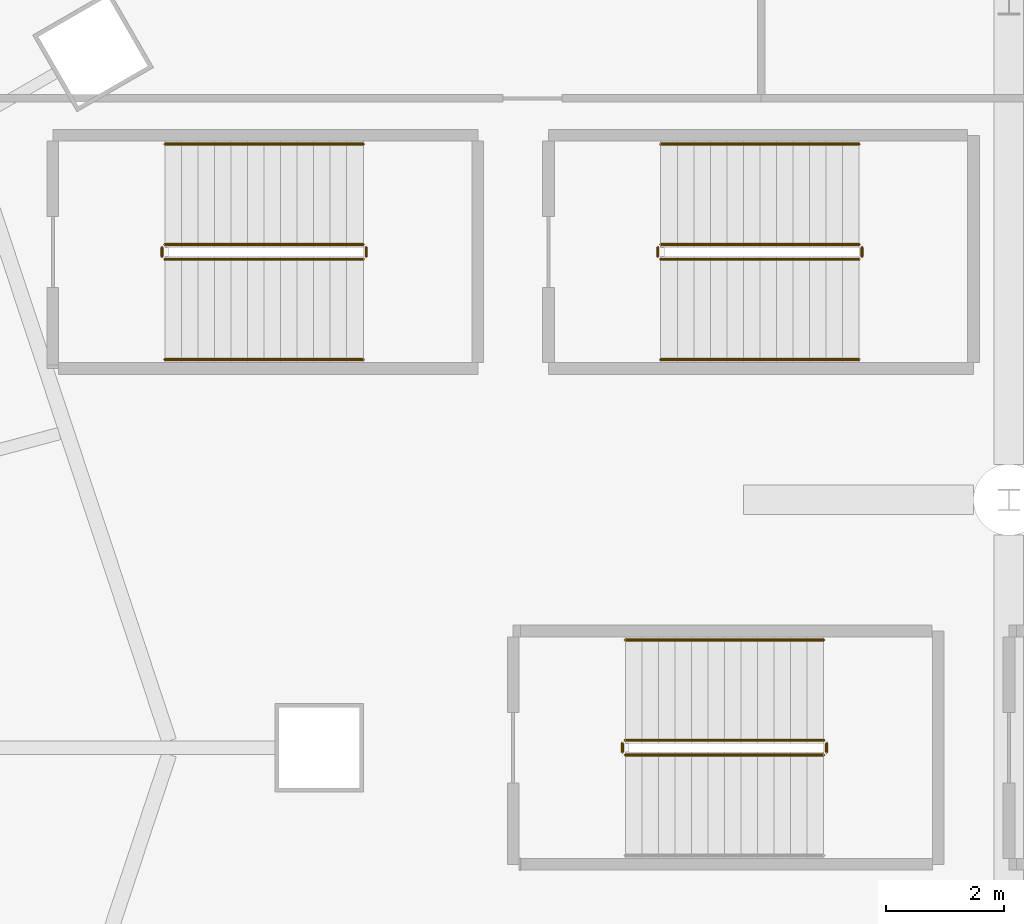
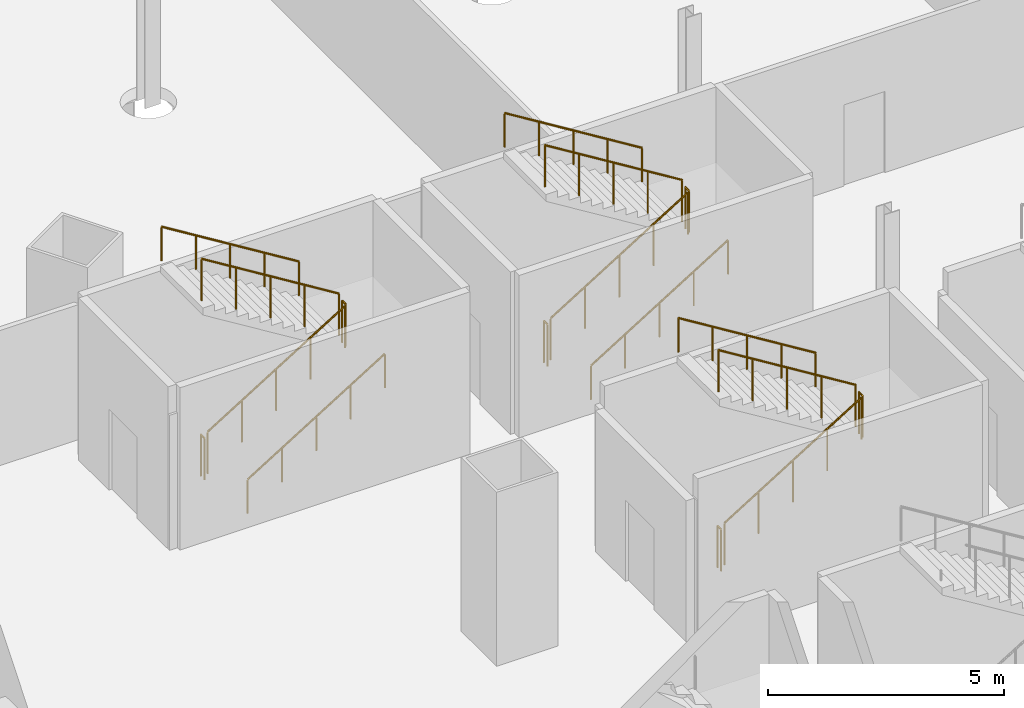
# One storey, part 51 of 56: 17 railings.
"""IFC4 building model written with IfcOpenShell, lengths in metres."""

from ifc_helpers import new_model, si_unit, direction, frame, origin, origin_2d, place, context, subcontext, project, spatial, circle, extrude, material, type_object, element, save


model = new_model("IFC4")

# Units and contexts
model_context = context("Model", 3, precision=1e-05, world=origin(), true_north=direction((0.0, 1.0)))
body_context = subcontext(model_context, "Body", "Model", "MODEL_VIEW")
ifc_project = project(units=[si_unit("LENGTHUNIT", "METRE"), si_unit("AREAUNIT", "SQUARE_METRE"), si_unit("VOLUMEUNIT", "CUBIC_METRE"), si_unit("PLANEANGLEUNIT", "RADIAN"), si_unit("MASSUNIT", "GRAM", prefix="KILO")], contexts=[model_context])

# Site, building, storey
site_placement = place(None, origin())
site = spatial("IfcSite", under=ifc_project, at=site_placement, CompositionType="ELEMENT")
building_placement = place(site_placement, origin())
building = spatial("IfcBuilding", under=site, at=building_placement, Name="Rimbun Link Towers", CompositionType="ELEMENT")
storey_placement = place(building_placement, frame((0.0, 0.0, 16.5)))
storey = spatial("IfcBuildingStorey", under=building, at=storey_placement, Name="L03", CompositionType="ELEMENT", Elevation=16.5)

# Railings
ifc_material_1 = material(Name="Stainless steel grade 316", Category="steel")
railing_type_1 = type_object("IfcRailingType", Name="Stair guard", PredefinedType="GUARDRAIL", material=ifc_material_1)
railing_1_placement = place(storey_placement, frame((-10.10009765625, 8.27490234375, 0.173095703125)))
element("IfcRailing", 1, at=railing_1_placement, inside=storey, type_object=railing_type_1, Name="L03 PS3 stair guard 1", PredefinedType="GUARDRAIL", context=body_context, shape_type="SweptSolid", body=[
    extrude(circle(Radius=0.02392578125, at=origin_2d()), frame((0.0, 0.0, 1.076171875), z_axis=(0.850623216509, 0.0, 0.525775754039), x_axis=(0.0, 1.0, 0.0)), (0.0, 0.0, 1.0), 3.9501953125),
    extrude(circle(Radius=0.02099609375, at=origin_2d()), origin(), (0.0, 0.0, 1.0), 1.052001953125),
    extrude(circle(Radius=0.02099609375, at=origin_2d()), frame((0.840087890625, 0.0, 0.519287109375)), (0.0, 0.0, 1.0), 1.052001953125),
    extrude(circle(Radius=0.02099609375, at=origin_2d()), frame((1.68017578125, 0.0, 1.03857421875)), (0.0, 0.0, 1.0), 1.052001953125),
    extrude(circle(Radius=0.02099609375, at=origin_2d()), frame((2.52001953125, 0.0, 1.5576171875)), (0.0, 0.0, 1.0), 1.052001953125),
    extrude(circle(Radius=0.02099609375, at=origin_2d()), frame((3.360107421875, 0.0, 2.076904296875)), (0.0, 0.0, 1.0), 1.052001953125),
])
railing_2_placement = place(storey_placement, frame((-6.68994140625, 8.324951171875, 2.25)))
element("IfcRailing", 2, at=railing_2_placement, inside=storey, type_object=railing_type_1, Name="L03 PS3 stair guard 2", PredefinedType="GUARDRAIL", context=body_context, shape_type="SweptSolid", body=[
    extrude(circle(Radius=0.02392578125, at=origin_2d()), frame((0.0, 0.0, 1.076171875), z_axis=(0.0, 1.0, 0.0), x_axis=(-1.0, 0.0, 0.0)), (0.0, 0.0, 1.0), 0.150146484375),
    extrude(circle(Radius=0.02099609375, at=origin_2d()), origin(), (0.0, 0.0, 1.0), 1.052001953125),
    extrude(circle(Radius=0.02099609375, at=origin_2d()), frame((0.0, 0.150146484375, 0.0)), (0.0, 0.0, 1.0), 1.052001953125),
])
railing_3_placement = place(storey_placement, frame((-6.739990234375, 8.52490234375, 2.423095703125)))
element("IfcRailing", 3, at=railing_3_placement, inside=storey, type_object=railing_type_1, Name="L03 PS3 stair guard 3", PredefinedType="GUARDRAIL", context=body_context, shape_type="SweptSolid", body=[
    extrude(circle(Radius=0.02392578125, at=origin_2d()), frame((0.0, 0.0, 1.076171875), z_axis=(-0.850623216509, 0.0, 0.525775754039), x_axis=(0.0, -1.0, 0.0)), (0.0, 0.0, 1.0), 3.9501953125),
    extrude(circle(Radius=0.02099609375, at=origin_2d()), origin(), (0.0, 0.0, 1.0), 1.052001953125),
    extrude(circle(Radius=0.02099609375, at=origin_2d()), frame((-0.840087890625, 0.0, 0.519287109375)), (0.0, 0.0, 1.0), 1.052001953125),
    extrude(circle(Radius=0.02099609375, at=origin_2d()), frame((-1.68017578125, 0.0, 1.03857421875)), (0.0, 0.0, 1.0), 1.052001953125),
    extrude(circle(Radius=0.02099609375, at=origin_2d()), frame((-2.52001953125, 0.0, 1.5576171875)), (0.0, 0.0, 1.0), 1.052001953125),
    extrude(circle(Radius=0.02099609375, at=origin_2d()), frame((-3.360107421875, 0.0, 2.076904296875)), (0.0, 0.0, 1.0), 1.052001953125),
])
railing_4_placement = place(storey_placement, frame((-10.14990234375, 8.324951171875, 0.0)))
element("IfcRailing", 4, at=railing_4_placement, inside=storey, type_object=railing_type_1, Name="L03 PS3 stair guard 4", PredefinedType="GUARDRAIL", context=body_context, shape_type="SweptSolid", body=[
    extrude(circle(Radius=0.02392578125, at=origin_2d()), frame((0.0, 0.0, 1.076171875), z_axis=(0.0, 1.0, 0.0), x_axis=(-1.0, 0.0, 0.0)), (0.0, 0.0, 1.0), 0.150146484375),
    extrude(circle(Radius=0.02099609375, at=origin_2d()), origin(), (0.0, 0.0, 1.0), 1.052001953125),
    extrude(circle(Radius=0.02099609375, at=origin_2d()), frame((0.0, 0.150146484375, 0.0)), (0.0, 0.0, 1.0), 1.052001953125),
])
railing_5_placement = place(storey_placement, frame((-1.699951171875, 8.27490234375, 0.173095703125)))
element("IfcRailing", 5, at=railing_5_placement, inside=storey, type_object=railing_type_1, Name="L03 PS4 stair guard 1", PredefinedType="GUARDRAIL", context=body_context, shape_type="SweptSolid", body=[
    extrude(circle(Radius=0.02392578125, at=origin_2d()), frame((0.0, 0.0, 1.076171875), z_axis=(0.850606129759, 0.0, 0.525803396734), x_axis=(0.0, 1.0, 0.0)), (0.0, 0.0, 1.0), 3.949951171875),
    extrude(circle(Radius=0.02099609375, at=origin_2d()), origin(), (0.0, 0.0, 1.0), 1.052001953125),
    extrude(circle(Radius=0.02099609375, at=origin_2d()), frame((0.83984375, 0.0, 0.519287109375)), (0.0, 0.0, 1.0), 1.052001953125),
    extrude(circle(Radius=0.02099609375, at=origin_2d()), frame((1.679931640625, 0.0, 1.03857421875)), (0.0, 0.0, 1.0), 1.052001953125),
    extrude(circle(Radius=0.02099609375, at=origin_2d()), frame((2.52001953125, 0.0, 1.5576171875)), (0.0, 0.0, 1.0), 1.052001953125),
    extrude(circle(Radius=0.02099609375, at=origin_2d()), frame((3.35986328125, 0.0, 2.076904296875)), (0.0, 0.0, 1.0), 1.052001953125),
])
railing_6_placement = place(storey_placement, frame((1.7099609375, 8.324951171875, 2.25)))
element("IfcRailing", 6, at=railing_6_placement, inside=storey, type_object=railing_type_1, Name="L03 PS4 stair guard 2", PredefinedType="GUARDRAIL", context=body_context, shape_type="SweptSolid", body=[
    extrude(circle(Radius=0.02392578125, at=origin_2d()), frame((0.0, 0.0, 1.076171875), z_axis=(0.0, 1.0, 0.0), x_axis=(-1.0, 0.0, 0.0)), (0.0, 0.0, 1.0), 0.150146484375),
    extrude(circle(Radius=0.02099609375, at=origin_2d()), origin(), (0.0, 0.0, 1.0), 1.052001953125),
    extrude(circle(Radius=0.02099609375, at=origin_2d()), frame((0.0, 0.150146484375, 0.0)), (0.0, 0.0, 1.0), 1.052001953125),
])
railing_7_placement = place(storey_placement, frame((1.659912109375, 8.52490234375, 2.423095703125)))
element("IfcRailing", 7, at=railing_7_placement, inside=storey, type_object=railing_type_1, Name="L03 PS4 stair guard 3", PredefinedType="GUARDRAIL", context=body_context, shape_type="SweptSolid", body=[
    extrude(circle(Radius=0.02392578125, at=origin_2d()), frame((0.0, 0.0, 1.076171875), z_axis=(-0.850606129759, 0.0, 0.525803396734), x_axis=(0.0, -1.0, 0.0)), (0.0, 0.0, 1.0), 3.949951171875),
    extrude(circle(Radius=0.02099609375, at=origin_2d()), origin(), (0.0, 0.0, 1.0), 1.052001953125),
    extrude(circle(Radius=0.02099609375, at=origin_2d()), frame((-0.83984375, 0.0, 0.519287109375)), (0.0, 0.0, 1.0), 1.052001953125),
    extrude(circle(Radius=0.02099609375, at=origin_2d()), frame((-1.679931640625, 0.0, 1.03857421875)), (0.0, 0.0, 1.0), 1.052001953125),
    extrude(circle(Radius=0.02099609375, at=origin_2d()), frame((-2.52001953125, 0.0, 1.5576171875)), (0.0, 0.0, 1.0), 1.052001953125),
    extrude(circle(Radius=0.02099609375, at=origin_2d()), frame((-3.35986328125, 0.0, 2.076904296875)), (0.0, 0.0, 1.0), 1.052001953125),
])
railing_8_placement = place(storey_placement, frame((-1.75, 8.324951171875, 0.0)))
element("IfcRailing", 8, at=railing_8_placement, inside=storey, type_object=railing_type_1, Name="L03 PS4 stair guard 4", PredefinedType="GUARDRAIL", context=body_context, shape_type="SweptSolid", body=[
    extrude(circle(Radius=0.02392578125, at=origin_2d()), frame((0.0, 0.0, 1.076171875), z_axis=(0.0, 1.0, 0.0), x_axis=(-1.0, 0.0, 0.0)), (0.0, 0.0, 1.0), 0.150146484375),
    extrude(circle(Radius=0.02099609375, at=origin_2d()), origin(), (0.0, 0.0, 1.0), 1.052001953125),
    extrude(circle(Radius=0.02099609375, at=origin_2d()), frame((0.0, 0.150146484375, 0.0)), (0.0, 0.0, 1.0), 1.052001953125),
])
railing_9_placement = place(storey_placement, frame((-2.300048828125, -0.125, 0.173095703125)))
element("IfcRailing", 9, at=railing_9_placement, inside=storey, type_object=railing_type_1, Name="L03 PS6 stair guard 1", PredefinedType="GUARDRAIL", context=body_context, shape_type="SweptSolid", body=[
    extrude(circle(Radius=0.02392578125, at=origin_2d()), frame((0.0, 0.0, 1.076171875), z_axis=(0.850623216509, 0.0, 0.525775754039), x_axis=(0.0, 1.0, 0.0)), (0.0, 0.0, 1.0), 3.9501953125),
    extrude(circle(Radius=0.02099609375, at=origin_2d()), origin(), (0.0, 0.0, 1.0), 1.052001953125),
    extrude(circle(Radius=0.02099609375, at=origin_2d()), frame((0.840087890625, 0.0, 0.519287109375)), (0.0, 0.0, 1.0), 1.052001953125),
    extrude(circle(Radius=0.02099609375, at=origin_2d()), frame((1.68017578125, 0.0, 1.03857421875)), (0.0, 0.0, 1.0), 1.052001953125),
    extrude(circle(Radius=0.02099609375, at=origin_2d()), frame((2.52001953125, 0.0, 1.5576171875)), (0.0, 0.0, 1.0), 1.052001953125),
    extrude(circle(Radius=0.02099609375, at=origin_2d()), frame((3.360107421875, 0.0, 2.076904296875)), (0.0, 0.0, 1.0), 1.052001953125),
])
railing_10_placement = place(storey_placement, frame((1.110107421875, -0.074951171875, 2.25)))
element("IfcRailing", 10, at=railing_10_placement, inside=storey, type_object=railing_type_1, Name="L03 PS6 stair guard 2", PredefinedType="GUARDRAIL", context=body_context, shape_type="SweptSolid", body=[
    extrude(circle(Radius=0.02392578125, at=origin_2d()), frame((0.0, 0.0, 1.076171875), z_axis=(0.0, 1.0, 0.0), x_axis=(-1.0, 0.0, 0.0)), (0.0, 0.0, 1.0), 0.14990234375),
    extrude(circle(Radius=0.02099609375, at=origin_2d()), origin(), (0.0, 0.0, 1.0), 1.052001953125),
    extrude(circle(Radius=0.02099609375, at=origin_2d()), frame((0.0, 0.14990234375, 0.0)), (0.0, 0.0, 1.0), 1.052001953125),
])
railing_11_placement = place(storey_placement, frame((1.06005859375, 0.125, 2.423095703125)))
element("IfcRailing", 11, at=railing_11_placement, inside=storey, type_object=railing_type_1, Name="L03 PS6 stair guard 3", PredefinedType="GUARDRAIL", context=body_context, shape_type="SweptSolid", body=[
    extrude(circle(Radius=0.02392578125, at=origin_2d()), frame((0.0, 0.0, 1.076171875), z_axis=(-0.850623216509, 0.0, 0.525775754039), x_axis=(0.0, -1.0, 0.0)), (0.0, 0.0, 1.0), 3.9501953125),
    extrude(circle(Radius=0.02099609375, at=origin_2d()), origin(), (0.0, 0.0, 1.0), 1.052001953125),
    extrude(circle(Radius=0.02099609375, at=origin_2d()), frame((-0.840087890625, 0.0, 0.519287109375)), (0.0, 0.0, 1.0), 1.052001953125),
    extrude(circle(Radius=0.02099609375, at=origin_2d()), frame((-1.68017578125, 0.0, 1.03857421875)), (0.0, 0.0, 1.0), 1.052001953125),
    extrude(circle(Radius=0.02099609375, at=origin_2d()), frame((-2.52001953125, 0.0, 1.5576171875)), (0.0, 0.0, 1.0), 1.052001953125),
    extrude(circle(Radius=0.02099609375, at=origin_2d()), frame((-3.360107421875, 0.0, 2.076904296875)), (0.0, 0.0, 1.0), 1.052001953125),
])
railing_12_placement = place(storey_placement, frame((-2.35009765625, -0.074951171875, 0.0)))
element("IfcRailing", 12, at=railing_12_placement, inside=storey, type_object=railing_type_1, Name="L03 PS6 stair guard 4", PredefinedType="GUARDRAIL", context=body_context, shape_type="SweptSolid", body=[
    extrude(circle(Radius=0.02392578125, at=origin_2d()), frame((0.0, 0.0, 1.076171875), z_axis=(0.0, 1.0, 0.0), x_axis=(-1.0, 0.0, 0.0)), (0.0, 0.0, 1.0), 0.14990234375),
    extrude(circle(Radius=0.02099609375, at=origin_2d()), origin(), (0.0, 0.0, 1.0), 1.052001953125),
    extrude(circle(Radius=0.02099609375, at=origin_2d()), frame((0.0, 0.14990234375, 0.0)), (0.0, 0.0, 1.0), 1.052001953125),
])
ifc_material_2 = material(Name="Stainless steel grade 316", Category="steel")
railing_type_2 = type_object("IfcRailingType", Name="Stair handrail", PredefinedType="HANDRAIL", material=ifc_material_2)
railing_13_placement = place(storey_placement, frame((-10.10009765625, 6.574951171875, 0.173095703125)))
element("IfcRailing", 13, at=railing_13_placement, inside=storey, type_object=railing_type_2, Name="L03 PS3 stair handrail 1", PredefinedType="HANDRAIL", context=body_context, shape_type="SweptSolid", body=[
    extrude(circle(Radius=0.02392578125, at=origin_2d()), frame((0.0, 0.0, 0.8759765625), z_axis=(0.850623216509, 0.0, 0.525775754039), x_axis=(0.0, 1.0, 0.0)), (0.0, 0.0, 1.0), 3.9501953125),
    extrude(circle(Radius=0.02099609375, at=origin_2d()), origin(), (0.0, 0.0, 1.0), 0.851806640625),
    extrude(circle(Radius=0.02099609375, at=origin_2d()), frame((0.840087890625, 0.0, 0.519287109375)), (0.0, 0.0, 1.0), 0.851806640625),
    extrude(circle(Radius=0.02099609375, at=origin_2d()), frame((1.68017578125, 0.0, 1.03857421875)), (0.0, 0.0, 1.0), 0.851806640625),
    extrude(circle(Radius=0.02099609375, at=origin_2d()), frame((2.52001953125, 0.0, 1.5576171875)), (0.0, 0.0, 1.0), 0.851806640625),
    extrude(circle(Radius=0.02099609375, at=origin_2d()), frame((3.360107421875, 0.0, 2.076904296875)), (0.0, 0.0, 1.0), 0.851806640625),
])
railing_14_placement = place(storey_placement, frame((-6.739990234375, 10.22509765625, 2.423095703125)))
element("IfcRailing", 14, at=railing_14_placement, inside=storey, type_object=railing_type_2, Name="L03 PS3 stair handrail 2", PredefinedType="HANDRAIL", context=body_context, shape_type="SweptSolid", body=[
    extrude(circle(Radius=0.02392578125, at=origin_2d()), frame((0.0, 0.0, 0.8759765625), z_axis=(-0.850623216509, 0.0, 0.525775754039), x_axis=(0.0, -1.0, 0.0)), (0.0, 0.0, 1.0), 3.9501953125),
    extrude(circle(Radius=0.02099609375, at=origin_2d()), origin(), (0.0, 0.0, 1.0), 0.851806640625),
    extrude(circle(Radius=0.02099609375, at=origin_2d()), frame((-0.840087890625, 0.0, 0.519287109375)), (0.0, 0.0, 1.0), 0.851806640625),
    extrude(circle(Radius=0.02099609375, at=origin_2d()), frame((-1.68017578125, 0.0, 1.03857421875)), (0.0, 0.0, 1.0), 0.851806640625),
    extrude(circle(Radius=0.02099609375, at=origin_2d()), frame((-2.52001953125, 0.0, 1.5576171875)), (0.0, 0.0, 1.0), 0.851806640625),
    extrude(circle(Radius=0.02099609375, at=origin_2d()), frame((-3.360107421875, 0.0, 2.076904296875)), (0.0, 0.0, 1.0), 0.851806640625),
])
railing_15_placement = place(storey_placement, frame((-1.699951171875, 6.574951171875, 0.173095703125)))
element("IfcRailing", 15, at=railing_15_placement, inside=storey, type_object=railing_type_2, Name="L03 PS4 stair handrail 1", PredefinedType="HANDRAIL", context=body_context, shape_type="SweptSolid", body=[
    extrude(circle(Radius=0.02392578125, at=origin_2d()), frame((0.0, 0.0, 0.8759765625), z_axis=(0.850606129759, 0.0, 0.525803396734), x_axis=(0.0, 1.0, 0.0)), (0.0, 0.0, 1.0), 3.949951171875),
    extrude(circle(Radius=0.02099609375, at=origin_2d()), origin(), (0.0, 0.0, 1.0), 0.851806640625),
    extrude(circle(Radius=0.02099609375, at=origin_2d()), frame((0.83984375, 0.0, 0.519287109375)), (0.0, 0.0, 1.0), 0.851806640625),
    extrude(circle(Radius=0.02099609375, at=origin_2d()), frame((1.679931640625, 0.0, 1.03857421875)), (0.0, 0.0, 1.0), 0.851806640625),
    extrude(circle(Radius=0.02099609375, at=origin_2d()), frame((2.52001953125, 0.0, 1.5576171875)), (0.0, 0.0, 1.0), 0.851806640625),
    extrude(circle(Radius=0.02099609375, at=origin_2d()), frame((3.35986328125, 0.0, 2.076904296875)), (0.0, 0.0, 1.0), 0.851806640625),
])
railing_16_placement = place(storey_placement, frame((1.659912109375, 10.22509765625, 2.423095703125)))
element("IfcRailing", 16, at=railing_16_placement, inside=storey, type_object=railing_type_2, Name="L03 PS4 stair handrail 2", PredefinedType="HANDRAIL", context=body_context, shape_type="SweptSolid", body=[
    extrude(circle(Radius=0.02392578125, at=origin_2d()), frame((0.0, 0.0, 0.8759765625), z_axis=(-0.850606129759, 0.0, 0.525803396734), x_axis=(0.0, -1.0, 0.0)), (0.0, 0.0, 1.0), 3.949951171875),
    extrude(circle(Radius=0.02099609375, at=origin_2d()), origin(), (0.0, 0.0, 1.0), 0.851806640625),
    extrude(circle(Radius=0.02099609375, at=origin_2d()), frame((-0.83984375, 0.0, 0.519287109375)), (0.0, 0.0, 1.0), 0.851806640625),
    extrude(circle(Radius=0.02099609375, at=origin_2d()), frame((-1.679931640625, 0.0, 1.03857421875)), (0.0, 0.0, 1.0), 0.851806640625),
    extrude(circle(Radius=0.02099609375, at=origin_2d()), frame((-2.52001953125, 0.0, 1.5576171875)), (0.0, 0.0, 1.0), 0.851806640625),
    extrude(circle(Radius=0.02099609375, at=origin_2d()), frame((-3.35986328125, 0.0, 2.076904296875)), (0.0, 0.0, 1.0), 0.851806640625),
])
railing_17_placement = place(storey_placement, frame((1.06005859375, 1.824951171875, 2.423095703125)))
element("IfcRailing", 17, at=railing_17_placement, inside=storey, type_object=railing_type_2, Name="L03 PS6 stair handrail 2", PredefinedType="HANDRAIL", context=body_context, shape_type="SweptSolid", body=[
    extrude(circle(Radius=0.02392578125, at=origin_2d()), frame((0.0, 0.0, 0.8759765625), z_axis=(-0.850623216509, 0.0, 0.525775754039), x_axis=(0.0, -1.0, 0.0)), (0.0, 0.0, 1.0), 3.9501953125),
    extrude(circle(Radius=0.02099609375, at=origin_2d()), origin(), (0.0, 0.0, 1.0), 0.851806640625),
    extrude(circle(Radius=0.02099609375, at=origin_2d()), frame((-0.840087890625, 0.0, 0.519287109375)), (0.0, 0.0, 1.0), 0.851806640625),
    extrude(circle(Radius=0.02099609375, at=origin_2d()), frame((-1.68017578125, 0.0, 1.03857421875)), (0.0, 0.0, 1.0), 0.851806640625),
    extrude(circle(Radius=0.02099609375, at=origin_2d()), frame((-2.52001953125, 0.0, 1.5576171875)), (0.0, 0.0, 1.0), 0.851806640625),
    extrude(circle(Radius=0.02099609375, at=origin_2d()), frame((-3.360107421875, 0.0, 2.076904296875)), (0.0, 0.0, 1.0), 0.851806640625),
])

save(model, "model.ifc")
